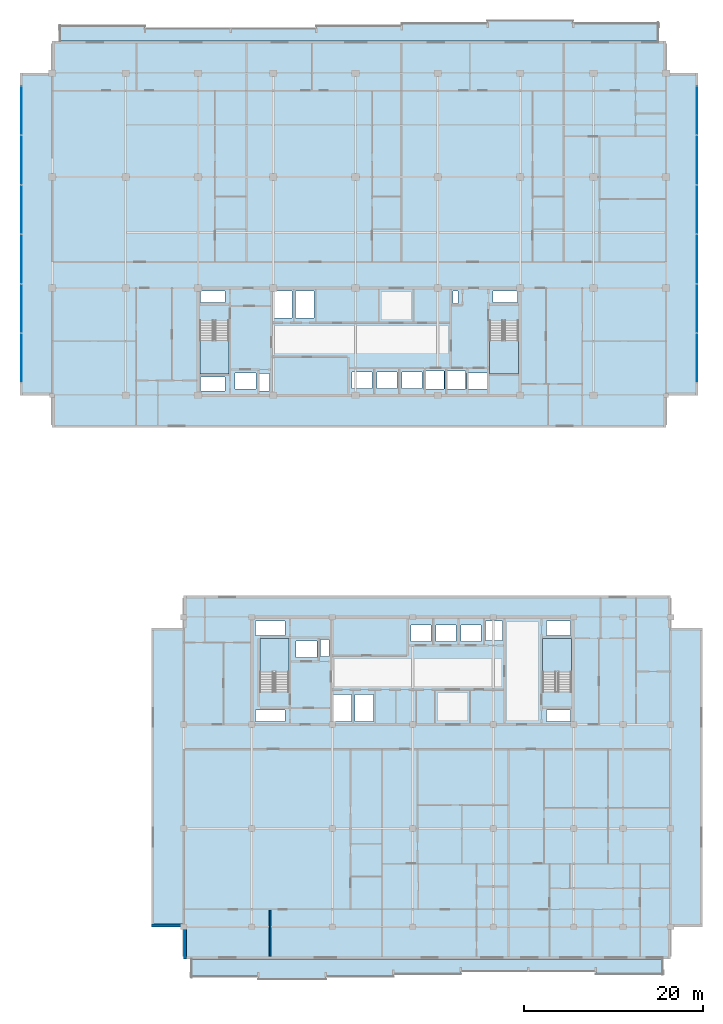
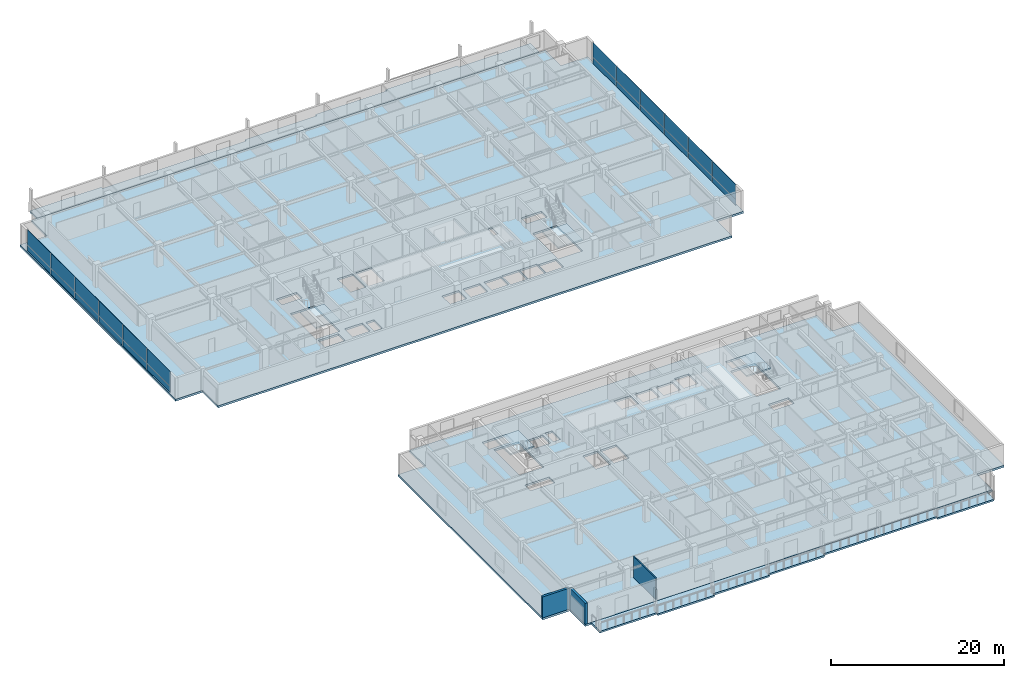
# One storey, part 15 of 32: 24 plates, 8 slabs, 3 walls, 6 elements without a shape of their own.
"""IFC4 building model written with IfcOpenShell, lengths in metres."""

from ifc_helpers import new_model, si_unit, direction, frame, frame_2d, origin, origin_2d, place, context, subcontext, project, spatial, polyline, rectangle, outline, extrude, material, layer, layer_set, type_object, element, aggregate, save


model = new_model("IFC4")

# Units and contexts
model_context = context("Model", 3, precision=1e-05, world=origin(), true_north=direction((0.0, 1.0)))
body_context = subcontext(model_context, "Body", "Model", "MODEL_VIEW")
ifc_project = project(units=[si_unit("LENGTHUNIT", "METRE"), si_unit("AREAUNIT", "SQUARE_METRE"), si_unit("VOLUMEUNIT", "CUBIC_METRE"), si_unit("PLANEANGLEUNIT", "RADIAN"), si_unit("MASSUNIT", "GRAM", prefix="KILO")], contexts=[model_context])

# Site, building, storey
site_placement = place(None, origin())
site = spatial("IfcSite", under=ifc_project, at=site_placement, CompositionType="ELEMENT")
building_placement = place(site_placement, origin())
building = spatial("IfcBuilding", under=site, at=building_placement, Name="Korimba Cascade Residences", CompositionType="ELEMENT")
storey_placement = place(building_placement, frame((0.0, 0.0, 178.35009765625)))
storey = spatial("IfcBuildingStorey", under=building, at=storey_placement, Name="L51", CompositionType="ELEMENT", Elevation=178.35009765625)

# Curtain wall, plates
ifc_material_1 = material(Name="Anodised Aluminium Curtain Wall Framing", Category="aluminium")
ifc_layer_1 = layer(ifc_material_1, 0.179931640625)
ifc_layer_set_1 = layer_set([ifc_layer_1], Name="Anodised Aluminium Curtain Wall Framing")
curtain_wall_type = type_object("IfcCurtainWallType", Name="CW-SKY-SYS2", PredefinedType="NOTDEFINED", material=ifc_layer_set_1)
curtain_wall_1_placement = place(storey_placement, origin())
curtain_wall_1 = element("IfcCurtainWall", 1, at=curtain_wall_1_placement, inside=storey, type_object=curtain_wall_type, Name="L51 Curtain Wall CW-L51-T1-E3", PredefinedType="NOTDEFINED")
ifc_material_2 = material(Name="Insulated Stone-Tone Spandrel Panel", Category="masonry")
ifc_layer_2 = layer(ifc_material_2, 0.0400390625)
ifc_layer_set_2 = layer_set([ifc_layer_2], Name="Insulated Stone-Tone Spandrel Panel")
plate_type_1 = type_object("IfcPlateType", Name="CWP-SPN-40", PredefinedType="USERDEFINED", material=ifc_layer_set_2)
plate_1_placement = place(storey_placement, frame((131.85009765625, 59.38671875, 0.0), z_axis=(0.0, 0.0, 1.0), x_axis=(0.0, 1.0, 0.0)))
plate_1 = element("IfcPlate", 2, at=plate_1_placement, type_object=plate_type_1, Name="CW-L51-T1-E3 Spandrel Panel 1", ObjectType="SPANDREL", PredefinedType="USERDEFINED", context=body_context, shape_type="SweptSolid", body=[
    extrude(rectangle(XDim=5.443359375, YDim=0.0400390625, at=origin_2d()), origin(), (0.0, 0.0, 1.0), 0.83154296875),
])
plate_2_placement = place(storey_placement, frame((131.85009765625, 64.89990234375, 0.0), z_axis=(0.0, 0.0, 1.0), x_axis=(0.0, 1.0, 0.0)))
plate_2 = element("IfcPlate", 3, at=plate_2_placement, type_object=plate_type_1, Name="CW-L51-T1-E3 Spandrel Panel 2", ObjectType="SPANDREL", PredefinedType="USERDEFINED", context=body_context, shape_type="SweptSolid", body=[
    extrude(rectangle(XDim=5.4833984375, YDim=0.0400390625, at=origin_2d()), origin(), (0.0, 0.0, 1.0), 0.83154296875),
])
plate_3_placement = place(storey_placement, frame((131.85009765625, 70.433349609375, 0.0), z_axis=(0.0, 0.0, 1.0), x_axis=(0.0, 1.0, 0.0)))
plate_3 = element("IfcPlate", 4, at=plate_3_placement, type_object=plate_type_1, Name="CW-L51-T1-E3 Spandrel Panel 3", ObjectType="SPANDREL", PredefinedType="USERDEFINED", context=body_context, shape_type="SweptSolid", body=[
    extrude(rectangle(XDim=5.4833984375, YDim=0.0400390625, at=origin_2d()), origin(), (0.0, 0.0, 1.0), 0.83154296875),
])
plate_4_placement = place(storey_placement, frame((131.85009765625, 75.966796875, 0.0), z_axis=(0.0, 0.0, 1.0), x_axis=(0.0, 1.0, 0.0)))
plate_4 = element("IfcPlate", 5, at=plate_4_placement, type_object=plate_type_1, Name="CW-L51-T1-E3 Spandrel Panel 4", ObjectType="SPANDREL", PredefinedType="USERDEFINED", context=body_context, shape_type="SweptSolid", body=[
    extrude(rectangle(XDim=5.4833984375, YDim=0.0400390625, at=origin_2d()), origin(), (0.0, 0.0, 1.0), 0.83154296875),
])
plate_5_placement = place(storey_placement, frame((131.85009765625, 81.5, 0.0), z_axis=(0.0, 0.0, 1.0), x_axis=(0.0, 1.0, 0.0)))
plate_5 = element("IfcPlate", 6, at=plate_5_placement, type_object=plate_type_1, Name="CW-L51-T1-E3 Spandrel Panel 5", ObjectType="SPANDREL", PredefinedType="USERDEFINED", context=body_context, shape_type="SweptSolid", body=[
    extrude(rectangle(XDim=5.4833984375, YDim=0.0400390625, at=origin_2d()), origin(), (0.0, 0.0, 1.0), 0.83154296875),
])
plate_6_placement = place(storey_placement, frame((131.85009765625, 87.01318359375, 0.0), z_axis=(0.0, 0.0, 1.0), x_axis=(0.0, 1.0, 0.0)))
plate_6 = element("IfcPlate", 7, at=plate_6_placement, type_object=plate_type_1, Name="CW-L51-T1-E3 Spandrel Panel 6", ObjectType="SPANDREL", PredefinedType="USERDEFINED", context=body_context, shape_type="SweptSolid", body=[
    extrude(rectangle(XDim=5.443359375, YDim=0.0400390625, at=origin_2d()), origin(), (0.0, 0.0, 1.0), 0.83154296875),
])

curtain_wall_2_placement = place(storey_placement, origin())
curtain_wall_2 = element("IfcCurtainWall", 8, at=curtain_wall_2_placement, inside=storey, type_object=curtain_wall_type, Name="L51 Curtain Wall CW-L51-T1-E9", PredefinedType="NOTDEFINED")
plate_7_placement = place(storey_placement, frame((56.35009765625, 87.01318359375, 0.0), z_axis=(0.0, 0.0, 1.0), x_axis=(0.0, -1.0, 0.0)))
plate_7 = element("IfcPlate", 9, at=plate_7_placement, type_object=plate_type_1, Name="CW-L51-T1-E9 Spandrel Panel 1", ObjectType="SPANDREL", PredefinedType="USERDEFINED", context=body_context, shape_type="SweptSolid", body=[
    extrude(rectangle(XDim=5.443359375, YDim=0.0400390625, at=origin_2d()), origin(), (0.0, 0.0, 1.0), 0.83154296875),
])
plate_8_placement = place(storey_placement, frame((56.35009765625, 81.5, 0.0), z_axis=(0.0, 0.0, 1.0), x_axis=(0.0, -1.0, 0.0)))
plate_8 = element("IfcPlate", 10, at=plate_8_placement, type_object=plate_type_1, Name="CW-L51-T1-E9 Spandrel Panel 2", ObjectType="SPANDREL", PredefinedType="USERDEFINED", context=body_context, shape_type="SweptSolid", body=[
    extrude(rectangle(XDim=5.4833984375, YDim=0.0400390625, at=origin_2d()), origin(), (0.0, 0.0, 1.0), 0.83154296875),
])
plate_9_placement = place(storey_placement, frame((56.35009765625, 75.966796875, 0.0), z_axis=(0.0, 0.0, 1.0), x_axis=(0.0, -1.0, 0.0)))
plate_9 = element("IfcPlate", 11, at=plate_9_placement, type_object=plate_type_1, Name="CW-L51-T1-E9 Spandrel Panel 3", ObjectType="SPANDREL", PredefinedType="USERDEFINED", context=body_context, shape_type="SweptSolid", body=[
    extrude(rectangle(XDim=5.4833984375, YDim=0.0400390625, at=origin_2d()), origin(), (0.0, 0.0, 1.0), 0.83154296875),
])
plate_10_placement = place(storey_placement, frame((56.35009765625, 70.433349609375, 0.0), z_axis=(0.0, 0.0, 1.0), x_axis=(0.0, -1.0, 0.0)))
plate_10 = element("IfcPlate", 12, at=plate_10_placement, type_object=plate_type_1, Name="CW-L51-T1-E9 Spandrel Panel 4", ObjectType="SPANDREL", PredefinedType="USERDEFINED", context=body_context, shape_type="SweptSolid", body=[
    extrude(rectangle(XDim=5.4833984375, YDim=0.0400390625, at=origin_2d()), origin(), (0.0, 0.0, 1.0), 0.83154296875),
])
plate_11_placement = place(storey_placement, frame((56.35009765625, 64.89990234375, 0.0), z_axis=(0.0, 0.0, 1.0), x_axis=(0.0, -1.0, 0.0)))
plate_11 = element("IfcPlate", 13, at=plate_11_placement, type_object=plate_type_1, Name="CW-L51-T1-E9 Spandrel Panel 5", ObjectType="SPANDREL", PredefinedType="USERDEFINED", context=body_context, shape_type="SweptSolid", body=[
    extrude(rectangle(XDim=5.4833984375, YDim=0.0400390625, at=origin_2d()), origin(), (0.0, 0.0, 1.0), 0.83154296875),
])
plate_12_placement = place(storey_placement, frame((56.35009765625, 59.38671875, 0.0), z_axis=(0.0, 0.0, 1.0), x_axis=(0.0, -1.0, 0.0)))
plate_12 = element("IfcPlate", 14, at=plate_12_placement, type_object=plate_type_1, Name="CW-L51-T1-E9 Spandrel Panel 6", ObjectType="SPANDREL", PredefinedType="USERDEFINED", context=body_context, shape_type="SweptSolid", body=[
    extrude(rectangle(XDim=5.443359375, YDim=0.0400390625, at=origin_2d()), origin(), (0.0, 0.0, 1.0), 0.83154296875),
])

# Plate
ifc_material_3 = material(Name="Low-E Double Glazing Unit", Category="glass")
ifc_layer_3 = layer(ifc_material_3, 0.028076171875)
ifc_layer_set_3 = layer_set([ifc_layer_3], Name="Low-E Double Glazing Unit")
plate_type_2 = type_object("IfcPlateType", Name="CWP-VIS-28", PredefinedType="CURTAIN_PANEL", material=ifc_layer_set_3)
plate_13_placement = place(storey_placement, frame((131.85009765625, 59.38671875, 0.83154296875), z_axis=(0.0, 0.0, 1.0), x_axis=(0.0, 1.0, 0.0)))
plate_13 = element("IfcPlate", 15, at=plate_13_placement, type_object=plate_type_2, Name="CW-L51-T1-E3 Vision Glass Panel 1", PredefinedType="CURTAIN_PANEL", context=body_context, shape_type="SweptSolid", body=[
    extrude(rectangle(XDim=5.443359375, YDim=0.028076171875, at=origin_2d()), origin(), (0.0, 0.0, 1.0), 2.138427734375),
])

plate_14_placement = place(storey_placement, frame((131.85009765625, 64.89990234375, 0.83154296875), z_axis=(0.0, 0.0, 1.0), x_axis=(0.0, 1.0, 0.0)))
plate_14 = element("IfcPlate", 16, at=plate_14_placement, type_object=plate_type_2, Name="CW-L51-T1-E3 Vision Glass Panel 2", PredefinedType="CURTAIN_PANEL", context=body_context, shape_type="SweptSolid", body=[
    extrude(rectangle(XDim=5.4833984375, YDim=0.028076171875, at=origin_2d()), origin(), (0.0, 0.0, 1.0), 2.138427734375),
])

plate_15_placement = place(storey_placement, frame((131.85009765625, 70.433349609375, 0.83154296875), z_axis=(0.0, 0.0, 1.0), x_axis=(0.0, 1.0, 0.0)))
plate_15 = element("IfcPlate", 17, at=plate_15_placement, type_object=plate_type_2, Name="CW-L51-T1-E3 Vision Glass Panel 3", PredefinedType="CURTAIN_PANEL", context=body_context, shape_type="SweptSolid", body=[
    extrude(rectangle(XDim=5.4833984375, YDim=0.028076171875, at=origin_2d()), origin(), (0.0, 0.0, 1.0), 2.138427734375),
])

plate_16_placement = place(storey_placement, frame((131.85009765625, 75.966796875, 0.83154296875), z_axis=(0.0, 0.0, 1.0), x_axis=(0.0, 1.0, 0.0)))
plate_16 = element("IfcPlate", 18, at=plate_16_placement, type_object=plate_type_2, Name="CW-L51-T1-E3 Vision Glass Panel 4", PredefinedType="CURTAIN_PANEL", context=body_context, shape_type="SweptSolid", body=[
    extrude(rectangle(XDim=5.4833984375, YDim=0.028076171875, at=origin_2d()), origin(), (0.0, 0.0, 1.0), 2.138427734375),
])

plate_17_placement = place(storey_placement, frame((131.85009765625, 81.5, 0.83154296875), z_axis=(0.0, 0.0, 1.0), x_axis=(0.0, 1.0, 0.0)))
plate_17 = element("IfcPlate", 19, at=plate_17_placement, type_object=plate_type_2, Name="CW-L51-T1-E3 Vision Glass Panel 5", PredefinedType="CURTAIN_PANEL", context=body_context, shape_type="SweptSolid", body=[
    extrude(rectangle(XDim=5.4833984375, YDim=0.028076171875, at=origin_2d()), origin(), (0.0, 0.0, 1.0), 2.138427734375),
])

plate_18_placement = place(storey_placement, frame((131.85009765625, 87.01318359375, 0.83154296875), z_axis=(0.0, 0.0, 1.0), x_axis=(0.0, 1.0, 0.0)))
plate_18 = element("IfcPlate", 20, at=plate_18_placement, type_object=plate_type_2, Name="CW-L51-T1-E3 Vision Glass Panel 6", PredefinedType="CURTAIN_PANEL", context=body_context, shape_type="SweptSolid", body=[
    extrude(rectangle(XDim=5.443359375, YDim=0.028076171875, at=origin_2d()), origin(), (0.0, 0.0, 1.0), 2.138427734375),
])

aggregate(curtain_wall_1, [plate_1, plate_13, plate_2, plate_14, plate_3, plate_15, plate_4, plate_16, plate_5, plate_17, plate_6, plate_18])

plate_19_placement = place(storey_placement, frame((56.35009765625, 87.01318359375, 0.83154296875), z_axis=(0.0, 0.0, 1.0), x_axis=(0.0, -1.0, 0.0)))
plate_19 = element("IfcPlate", 21, at=plate_19_placement, type_object=plate_type_2, Name="CW-L51-T1-E9 Vision Glass Panel 1", PredefinedType="CURTAIN_PANEL", context=body_context, shape_type="SweptSolid", body=[
    extrude(rectangle(XDim=5.443359375, YDim=0.028076171875, at=origin_2d()), origin(), (0.0, 0.0, 1.0), 2.138427734375),
])

plate_20_placement = place(storey_placement, frame((56.35009765625, 81.5, 0.83154296875), z_axis=(0.0, 0.0, 1.0), x_axis=(0.0, -1.0, 0.0)))
plate_20 = element("IfcPlate", 22, at=plate_20_placement, type_object=plate_type_2, Name="CW-L51-T1-E9 Vision Glass Panel 2", PredefinedType="CURTAIN_PANEL", context=body_context, shape_type="SweptSolid", body=[
    extrude(rectangle(XDim=5.4833984375, YDim=0.028076171875, at=origin_2d()), origin(), (0.0, 0.0, 1.0), 2.138427734375),
])

plate_21_placement = place(storey_placement, frame((56.35009765625, 75.966796875, 0.83154296875), z_axis=(0.0, 0.0, 1.0), x_axis=(0.0, -1.0, 0.0)))
plate_21 = element("IfcPlate", 23, at=plate_21_placement, type_object=plate_type_2, Name="CW-L51-T1-E9 Vision Glass Panel 3", PredefinedType="CURTAIN_PANEL", context=body_context, shape_type="SweptSolid", body=[
    extrude(rectangle(XDim=5.4833984375, YDim=0.028076171875, at=origin_2d()), origin(), (0.0, 0.0, 1.0), 2.138427734375),
])

plate_22_placement = place(storey_placement, frame((56.35009765625, 70.433349609375, 0.83154296875), z_axis=(0.0, 0.0, 1.0), x_axis=(0.0, -1.0, 0.0)))
plate_22 = element("IfcPlate", 24, at=plate_22_placement, type_object=plate_type_2, Name="CW-L51-T1-E9 Vision Glass Panel 4", PredefinedType="CURTAIN_PANEL", context=body_context, shape_type="SweptSolid", body=[
    extrude(rectangle(XDim=5.4833984375, YDim=0.028076171875, at=origin_2d()), origin(), (0.0, 0.0, 1.0), 2.138427734375),
])

plate_23_placement = place(storey_placement, frame((56.35009765625, 64.89990234375, 0.83154296875), z_axis=(0.0, 0.0, 1.0), x_axis=(0.0, -1.0, 0.0)))
plate_23 = element("IfcPlate", 25, at=plate_23_placement, type_object=plate_type_2, Name="CW-L51-T1-E9 Vision Glass Panel 5", PredefinedType="CURTAIN_PANEL", context=body_context, shape_type="SweptSolid", body=[
    extrude(rectangle(XDim=5.4833984375, YDim=0.028076171875, at=origin_2d()), origin(), (0.0, 0.0, 1.0), 2.138427734375),
])

plate_24_placement = place(storey_placement, frame((56.35009765625, 59.38671875, 0.83154296875), z_axis=(0.0, 0.0, 1.0), x_axis=(0.0, -1.0, 0.0)))
plate_24 = element("IfcPlate", 26, at=plate_24_placement, type_object=plate_type_2, Name="CW-L51-T1-E9 Vision Glass Panel 6", PredefinedType="CURTAIN_PANEL", context=body_context, shape_type="SweptSolid", body=[
    extrude(rectangle(XDim=5.443359375, YDim=0.028076171875, at=origin_2d()), origin(), (0.0, 0.0, 1.0), 2.138427734375),
])

aggregate(curtain_wall_2, [plate_7, plate_19, plate_8, plate_20, plate_9, plate_21, plate_10, plate_22, plate_11, plate_23, plate_12, plate_24])

# Stair, slab
ifc_material_4 = material(Name="Concrete C50/60", Category="concrete")
stair_type_1 = type_object("IfcStairType", Name="STR-W1-18R-1806", PredefinedType="HALF_TURN_STAIR", material=ifc_material_4)
stair_1_placement = place(storey_placement, origin())
stair_1 = element("IfcStair", 27, at=stair_1_placement, inside=storey, type_object=stair_type_1, Name="L51 Tower 1 West Fire Stair ST-W1", PredefinedType="HALF_TURN_STAIR")
ifc_layer_4 = layer(ifc_material_4, 0.199951171875)
ifc_layer_set_4 = layer_set([ifc_layer_4], Name="Concrete C50/60")
slab_type_1 = type_object("IfcSlabType", Name="SLB-LND-220", PredefinedType="LANDING", material=ifc_layer_set_4)
slab_1_placement = place(storey_placement, frame((0.0, 0.0, 1.4248046875)))
slab_1 = element("IfcSlab", 28, at=slab_1_placement, type_object=slab_type_1, Name="ST-W1 landing 1", PredefinedType="LANDING", context=body_context, shape_type="SweptSolid", body=[
    extrude(outline(polyline([(76.300048828125, 61.31005859375), (76.300048828125, 57.60009765625), (79.5400390625, 57.60009765625), (79.5400390625, 61.31005859375), (76.300048828125, 61.31005859375)])), origin(), (0.0, 0.0, 1.0), 0.2001953125),
])
aggregate(stair_1, [slab_1])

stair_type_2 = type_object("IfcStairType", Name="STR-W2-18R-1806", PredefinedType="HALF_TURN_STAIR", material=ifc_material_4)
stair_2_placement = place(storey_placement, origin())
stair_2 = element("IfcStair", 29, at=stair_2_placement, inside=storey, type_object=stair_type_2, Name="L51 Tower 1 East Fire Stair ST-W2", PredefinedType="HALF_TURN_STAIR")
slab_2_placement = place(storey_placement, frame((0.0, 0.0, 1.4248046875)))
slab_2 = element("IfcSlab", 30, at=slab_2_placement, type_object=slab_type_1, Name="ST-W2 landing 1", PredefinedType="LANDING", context=body_context, shape_type="SweptSolid", body=[
    extrude(outline(polyline([(108.659912109375, 61.31005859375), (108.659912109375, 57.60009765625), (111.89990234375, 57.60009765625), (111.89990234375, 61.31005859375), (108.659912109375, 61.31005859375)])), origin(), (0.0, 0.0, 1.0), 0.2001953125),
])
aggregate(stair_2, [slab_2])

stair_type_3 = type_object("IfcStairType", Name="STR-E1-18R-1806", PredefinedType="HALF_TURN_STAIR", material=ifc_material_4)
stair_3_placement = place(storey_placement, origin())
stair_3 = element("IfcStair", 31, at=stair_3_placement, inside=storey, type_object=stair_type_3, Name="L51 Tower 2 West Fire Stair ST-E1", PredefinedType="HALF_TURN_STAIR")
slab_3_placement = place(storey_placement, frame((0.0, 0.0, 1.4248046875)))
slab_3 = element("IfcSlab", 32, at=slab_3_placement, type_object=slab_type_1, Name="ST-E1 landing 1", PredefinedType="LANDING", context=body_context, shape_type="SweptSolid", body=[
    extrude(outline(polyline([(86.239990234375, 24.2900390625), (86.239990234375, 28.0), (83.0, 28.0), (83.0, 24.2900390625), (86.239990234375, 24.2900390625)])), origin(), (0.0, 0.0, 1.0), 0.2001953125),
])
aggregate(stair_3, [slab_3])

stair_type_4 = type_object("IfcStairType", Name="STR-E2-18R-1806", PredefinedType="HALF_TURN_STAIR", material=ifc_material_4)
stair_4_placement = place(storey_placement, origin())
stair_4 = element("IfcStair", 33, at=stair_4_placement, inside=storey, type_object=stair_type_4, Name="L51 Tower 2 East Fire Stair ST-E2", PredefinedType="HALF_TURN_STAIR")
slab_4_placement = place(storey_placement, frame((0.0, 0.0, 1.4248046875)))
slab_4 = element("IfcSlab", 34, at=slab_4_placement, type_object=slab_type_1, Name="ST-E2 landing 1", PredefinedType="LANDING", context=body_context, shape_type="SweptSolid", body=[
    extrude(outline(polyline([(117.840087890625, 24.2900390625), (117.840087890625, 28.0), (114.60009765625, 28.0), (114.60009765625, 24.2900390625), (117.840087890625, 24.2900390625)])), origin(), (0.0, 0.0, 1.0), 0.2001953125),
])
aggregate(stair_4, [slab_4])

# Slabs
ifc_material_5 = material(Name="Precast concrete C40/50", Category="concrete")
ifc_layer_5 = layer(ifc_material_5, 0.239990234375)
ifc_layer_set_5 = layer_set([ifc_layer_5], Name="Precast concrete C40/50")
slab_type_2 = type_object("IfcSlabType", Name="SLB-LOG-240", PredefinedType="FLOOR", material=ifc_layer_set_5)
slab_5_placement = place(storey_placement, frame((0.0, 0.0, -0.239990234375)))
element("IfcSlab", 35, at=slab_5_placement, inside=storey, type_object=slab_type_2, Name="L51 Tower 1 North Loggia Slab", PredefinedType="FLOOR", context=body_context, shape_type="SweptSolid", body=[
    extrude(outline(polyline([(60.60009765625, 94.800048828125), (127.60009765625, 94.800048828125), (127.60009765625, 96.85009765625), (118.028564453125, 96.85009765625), (118.028564453125, 97.14990234375), (108.45703125, 97.14990234375), (108.45703125, 96.85009765625), (98.8857421875, 96.85009765625), (98.8857421875, 96.550048828125), (89.314208984375, 96.550048828125), (89.314208984375, 96.25), (70.17138671875, 96.25), (70.17138671875, 96.550048828125), (60.60009765625, 96.550048828125), (60.60009765625, 94.800048828125)])), origin(), (0.0, 0.0, 1.0), 0.239990234375),
])
slab_6_placement = place(storey_placement, frame((0.0, 0.0, -0.239990234375)))
element("IfcSlab", 36, at=slab_6_placement, inside=storey, type_object=slab_type_2, Name="L51 Tower 2 South Loggia Slab", PredefinedType="FLOOR", context=body_context, shape_type="SweptSolid", body=[
    extrude(outline(polyline([(75.300048828125, -9.85009765625), (82.843017578125, -9.85009765625), (82.843017578125, -10.14990234375), (90.3857421875, -10.14990234375), (90.3857421875, -9.85009765625), (97.9287109375, -9.85009765625), (97.9287109375, -9.550048828125), (105.471435546875, -9.550048828125), (105.471435546875, -9.25), (120.55712890625, -9.25), (120.55712890625, -9.550048828125), (128.10009765625, -9.550048828125), (128.10009765625, -7.800048828125), (75.300048828125, -7.800048828125), (75.300048828125, -9.85009765625)])), origin(), (0.0, 0.0, 1.0), 0.239990234375),
])
ifc_layer_6 = layer(ifc_material_4, 0.280029296875)
ifc_layer_set_6 = layer_set([ifc_layer_6], Name="Concrete C50/60")
slab_type_3 = type_object("IfcSlabType", Name="SLB-TYP-280", PredefinedType="FLOOR", material=ifc_layer_set_6)
slab_7_placement = place(storey_placement, frame((0.0, 0.0, -0.280029296875)))
element("IfcSlab", 37, at=slab_7_placement, inside=storey, type_object=slab_type_3, Name="L51 Tower 1 Floor Slab", PredefinedType="FLOOR", context=body_context, shape_type="SweptSolid", body=[
    extrude(outline(polyline([(59.800048828125, 51.60009765625), (128.39990234375, 51.60009765625), (128.39990234375, 55.199951171875), (132.0, 55.199951171875), (132.0, 91.199951171875), (128.39990234375, 91.199951171875), (128.39990234375, 94.800048828125), (59.800048828125, 94.800048828125), (59.800048828125, 91.199951171875), (56.199951171875, 91.199951171875), (56.199951171875, 55.199951171875), (59.800048828125, 55.199951171875), (59.800048828125, 51.60009765625)]), holes=[polyline([(76.300048828125, 63.514892578125), (76.300048828125, 57.60009765625), (79.5400390625, 57.60009765625), (79.5400390625, 63.514892578125), (76.300048828125, 63.514892578125)]), polyline([(108.659912109375, 63.514892578125), (108.659912109375, 57.60009765625), (111.89990234375, 57.60009765625), (111.89990234375, 63.514892578125), (108.659912109375, 63.514892578125)]), polyline([(80.22998046875, 55.8798828125), (82.570068359375, 55.8798828125), (82.570068359375, 57.719970703125), (80.22998046875, 57.719970703125), (80.22998046875, 55.8798828125)]), polyline([(106.080078125, 55.8798828125), (108.419921875, 55.8798828125), (108.419921875, 57.719970703125), (106.080078125, 57.719970703125), (106.080078125, 55.8798828125)]), polyline([(93.280029296875, 55.97998046875), (95.52001953125, 55.97998046875), (95.52001953125, 57.820068359375), (93.280029296875, 57.820068359375), (93.280029296875, 55.97998046875)]), polyline([(96.080078125, 55.97998046875), (98.320068359375, 55.97998046875), (98.320068359375, 57.820068359375), (96.080078125, 57.820068359375), (96.080078125, 55.97998046875)]), polyline([(98.8798828125, 55.97998046875), (101.1201171875, 55.97998046875), (101.1201171875, 57.820068359375), (98.8798828125, 57.820068359375), (98.8798828125, 55.97998046875)]), polyline([(101.304931640625, 55.8798828125), (103.594970703125, 55.8798828125), (103.594970703125, 57.919921875), (101.304931640625, 57.919921875), (101.304931640625, 55.8798828125)]), polyline([(103.705078125, 55.8798828125), (105.9951171875, 55.8798828125), (105.9951171875, 57.919921875), (103.705078125, 57.919921875), (103.705078125, 55.8798828125)]), polyline([(82.97998046875, 55.679931640625), (84.080078125, 55.679931640625), (84.080078125, 57.6201171875), (82.97998046875, 57.6201171875), (82.97998046875, 55.679931640625)]), polyline([(76.39990234375, 65.56005859375), (79.10009765625, 65.56005859375), (79.10009765625, 66.8798828125), (76.39990234375, 66.8798828125), (76.39990234375, 65.56005859375)]), polyline([(76.39990234375, 55.679931640625), (79.10009765625, 55.679931640625), (79.10009765625, 57.239990234375), (76.39990234375, 57.239990234375), (76.39990234375, 55.679931640625)]), polyline([(84.530029296875, 63.820068359375), (86.6201171875, 63.820068359375), (86.6201171875, 66.8798828125), (84.530029296875, 66.8798828125), (84.530029296875, 63.820068359375)]), polyline([(86.97998046875, 63.820068359375), (89.070068359375, 63.820068359375), (89.070068359375, 66.8798828125), (86.97998046875, 66.8798828125), (86.97998046875, 63.820068359375)]), polyline([(104.6201171875, 65.4599609375), (105.179931640625, 65.4599609375), (105.179931640625, 66.8798828125), (104.6201171875, 66.8798828125), (104.6201171875, 65.4599609375)]), polyline([(109.080078125, 65.56005859375), (111.800048828125, 65.56005859375), (111.800048828125, 66.8798828125), (109.080078125, 66.8798828125), (109.080078125, 65.56005859375)])]), origin(), (0.0, 0.0, 1.0), 0.280029296875),
])
slab_8_placement = place(storey_placement, frame((0.0, 0.0, -0.280029296875)))
element("IfcSlab", 38, at=slab_8_placement, inside=storey, type_object=slab_type_3, Name="L51 Tower 2 Floor Slab", PredefinedType="FLOOR", context=body_context, shape_type="SweptSolid", body=[
    extrude(outline(polyline([(74.5, -7.800048828125), (128.89990234375, -7.800048828125), (128.89990234375, -4.199951171875), (132.5, -4.199951171875), (132.5, 29.199951171875), (128.89990234375, 29.199951171875), (128.89990234375, 32.800048828125), (74.5, 32.800048828125), (74.5, 29.199951171875), (70.89990234375, 29.199951171875), (70.89990234375, -4.199951171875), (74.5, -4.199951171875), (74.5, -7.800048828125)]), holes=[polyline([(86.239990234375, 22.0849609375), (86.239990234375, 28.0), (83.0, 28.0), (83.0, 22.0849609375), (86.239990234375, 22.0849609375)]), polyline([(117.840087890625, 22.0849609375), (117.840087890625, 28.0), (114.60009765625, 28.0), (114.60009765625, 22.0849609375), (117.840087890625, 22.0849609375)]), polyline([(87.030029296875, 25.8798828125), (89.3701171875, 25.8798828125), (89.3701171875, 27.719970703125), (87.030029296875, 27.719970703125), (87.030029296875, 25.8798828125)]), polyline([(99.8798828125, 27.679931640625), (102.1201171875, 27.679931640625), (102.1201171875, 29.52001953125), (99.8798828125, 29.52001953125), (99.8798828125, 27.679931640625)]), polyline([(102.679931640625, 27.679931640625), (104.919921875, 27.679931640625), (104.919921875, 29.52001953125), (102.679931640625, 29.52001953125), (102.679931640625, 27.679931640625)]), polyline([(105.47998046875, 27.679931640625), (107.719970703125, 27.679931640625), (107.719970703125, 29.52001953125), (105.47998046875, 29.52001953125), (105.47998046875, 27.679931640625)]), polyline([(89.780029296875, 25.97998046875), (90.719970703125, 25.97998046875), (90.719970703125, 27.919921875), (89.780029296875, 27.919921875), (89.780029296875, 25.97998046875)]), polyline([(82.530029296875, 18.72998046875), (85.800048828125, 18.72998046875), (85.800048828125, 20.0400390625), (82.530029296875, 20.0400390625), (82.530029296875, 18.72998046875)]), polyline([(82.530029296875, 28.360107421875), (85.800048828125, 28.360107421875), (85.800048828125, 29.969970703125), (82.530029296875, 29.969970703125), (82.530029296875, 28.360107421875)]), polyline([(108.22998046875, 27.780029296875), (110.1201171875, 27.780029296875), (110.1201171875, 29.969970703125), (108.22998046875, 29.969970703125), (108.22998046875, 27.780029296875)]), polyline([(91.22998046875, 18.72998046875), (93.27001953125, 18.72998046875), (93.27001953125, 21.780029296875), (91.22998046875, 21.780029296875), (91.22998046875, 18.72998046875)]), polyline([(93.6298828125, 18.72998046875), (95.719970703125, 18.72998046875), (95.719970703125, 21.780029296875), (93.6298828125, 21.780029296875), (93.6298828125, 18.72998046875)]), polyline([(115.02001953125, 18.72998046875), (117.739990234375, 18.72998046875), (117.739990234375, 20.0400390625), (115.02001953125, 20.0400390625), (115.02001953125, 18.72998046875)]), polyline([(115.02001953125, 28.360107421875), (117.739990234375, 28.360107421875), (117.739990234375, 29.969970703125), (115.02001953125, 29.969970703125), (115.02001953125, 28.360107421875)])]), origin(), (0.0, 0.0, 1.0), 0.280029296875),
])

# Walls
ifc_layer_7 = layer(ifc_material_5, 0.300048828125)
ifc_layer_set_7 = layer_set([ifc_layer_7], Name="Precast concrete C40/50")
wall_type_1 = type_object("IfcWallType", Name="EW-STONE-300", PredefinedType="STANDARD", material=ifc_layer_set_7)
for number, where, z_axis, x_axis, name in (
    (39, (70.89990234375, -4.050048828125, 0.0), (0.0, 0.0, 1.0), (1.0, 0.0, 0.0), "L51 T2 Perimeter Stone Wall E10"),
    (40, (74.64990234375, -4.199951171875, 0.0), (0.0, 0.0, 1.0), (0.0, -1.0, 0.0), "L51 T2 Perimeter Stone Wall E11"),
):
    element("IfcWall", number, at=place(storey_placement, frame(where, z_axis=z_axis, x_axis=x_axis)), inside=storey, type_object=wall_type_1, Name=name, PredefinedType="STANDARD", context=body_context, shape_type="SweptSolid", body=[
        extrude(rectangle(XDim=3.60009765625, YDim=0.300048828125, at=frame_2d((1.800048828125, 0.0))), origin(), (0.0, 0.0, 1.0), 2.969970703125),
    ])
ifc_material_6 = material(Name="Insulated Acoustic Stud Partition", Category="gypsum")
ifc_layer_8 = layer(ifc_material_6, 0.14990234375)
ifc_layer_set_8 = layer_set([ifc_layer_8], Name="Insulated Acoustic Stud Partition")
wall_type_2 = type_object("IfcWallType", Name="WAL-PART-150", PredefinedType="PARTITIONING", material=ifc_layer_set_8)
wall_placement = place(storey_placement, frame((84.154541015625, -7.5, 0.0), z_axis=(0.0, 0.0, 1.0), x_axis=(0.0, 1.0, 0.0)))
element("IfcWall", 41, at=wall_placement, inside=storey, type_object=wall_type_2, Name="L51 Partition Wall WAL-L51-T2-U01-OUTV", PredefinedType="PARTITIONING", context=body_context, shape_type="SweptSolid", body=[
    extrude(rectangle(XDim=5.169921875, YDim=0.14990234375, at=frame_2d((2.5849609375, 0.0))), origin(), (0.0, 0.0, 1.0), 2.969970703125),
])

save(model, "model.ifc")
